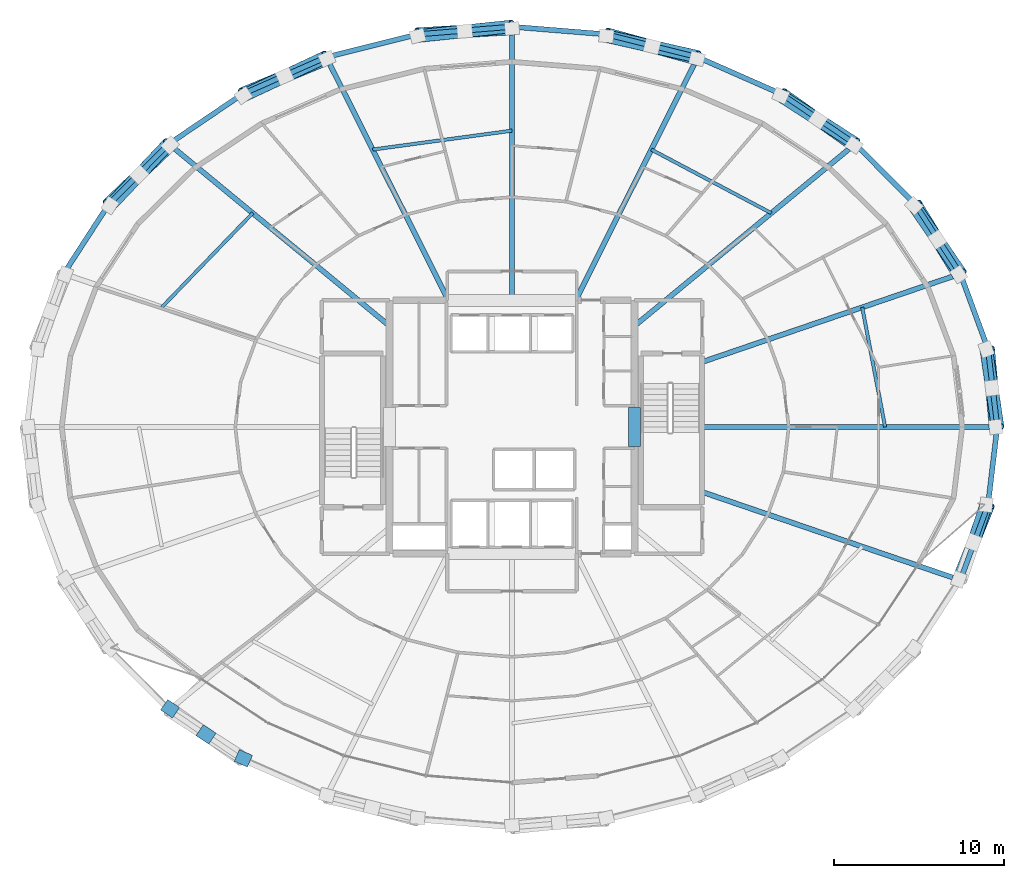
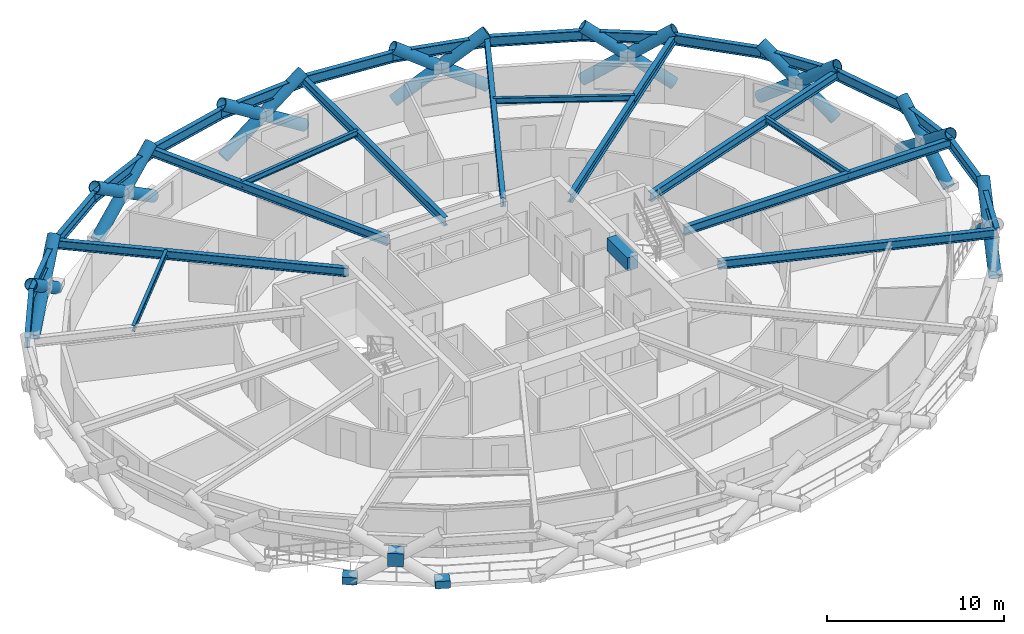
# One storey, part 11 of 19: 29 beams, 23 members, 3 plates.
"""IFC4 building model written with IfcOpenShell, lengths in metres."""

from ifc_helpers import new_model, si_unit, direction, frame, origin, origin_2d, place, context, subcontext, project, spatial, rectangle, hollow_circle, i_section, extrude, material, layer, layer_set, material_profile, profile_set, type_object, element, save


model = new_model("IFC4")

# Units and contexts
model_context = context("Model", 3, precision=1e-05, world=origin(), true_north=direction((0.0, 1.0)))
body_context = subcontext(model_context, "Body", "Model", "MODEL_VIEW")
ifc_project = project(units=[si_unit("LENGTHUNIT", "METRE"), si_unit("AREAUNIT", "SQUARE_METRE"), si_unit("VOLUMEUNIT", "CUBIC_METRE"), si_unit("PLANEANGLEUNIT", "RADIAN"), si_unit("MASSUNIT", "GRAM", prefix="KILO")], contexts=[model_context])

# Site, building, storey
site_placement = place(None, origin())
site = spatial("IfcSite", under=ifc_project, at=site_placement, CompositionType="ELEMENT")
building_placement = place(site_placement, origin())
building = spatial("IfcBuilding", under=site, at=building_placement, Name="Veldorina Hangang Commons", CompositionType="ELEMENT")
storey_placement = place(building_placement, frame((0.0, 0.0, 52.0)))
storey = spatial("IfcBuildingStorey", under=building, at=storey_placement, Name="L12", CompositionType="ELEMENT", Elevation=52.0)

# Beams
ifc_material_1 = material(Name="Concrete C70/85", Category="concrete")
ifc_material_profile_1 = material_profile(ifc_material_1, rectangle(XDim=0.699951171875, YDim=0.89990234375, at=origin_2d()), Name="RC-CB-700x900")
ifc_profile_set_1 = profile_set([ifc_material_profile_1], Name="Concrete C70/85")
beam_type_1 = type_object("IfcBeamType", Name="BM-CB900", PredefinedType="LINTEL", material=ifc_profile_set_1)
beam_1_placement = place(storey_placement, frame((39.199951171875, 22.85009765625, 2.889892578125), z_axis=(0.0, 1.0, 0.0), x_axis=(-1.0, 0.0, 0.0)))
element("IfcBeam", 1, at=beam_1_placement, inside=storey, type_object=beam_type_1, Name="L12 E core coupling lintel beam", PredefinedType="LINTEL", context=body_context, shape_type="SweptSolid", body=[
    extrude(rectangle(XDim=0.699951171875, YDim=0.89990234375, at=origin_2d()), origin(), (0.0, 0.0, 1.0), 2.2998046875),
])
ifc_material_2 = material(Name="Steel SM460-TMC", Category="steel")
ifc_material_profile_2 = material_profile(ifc_material_2, i_section(OverallWidth=0.300048828125, OverallDepth=0.587890625, WebThickness=0.011962890625, FlangeThickness=0.02001953125, FilletRadius=0.01806640625, at=origin_2d()), Name="H-588x300x12x20")
ifc_profile_set_2 = profile_set([ifc_material_profile_2], Name="Steel SM460-TMC")
beam_type_2 = type_object("IfcBeamType", Name="BM-FG588", PredefinedType="BEAM", material=ifc_profile_set_2)
beam_2_placement = place(storey_placement, frame((43.179931640625, 24.0, 3.0458984375), z_axis=(1.0, 0.0, 0.0), x_axis=(0.0, 1.0, 0.0)))
element("IfcBeam", 2, at=beam_2_placement, inside=storey, type_object=beam_type_2, Name="L12 radial floor girder 01", PredefinedType="BEAM", context=body_context, shape_type="SweptSolid", body=[
    extrude(i_section(OverallWidth=0.300048828125, OverallDepth=0.587890625, WebThickness=0.011962890625, FlangeThickness=0.02001953125, FilletRadius=0.01806640625, at=origin_2d()), origin(), (0.0, 0.0, 1.0), 17.359375),
])
beam_3_placement = place(storey_placement, frame((43.179931640625, 27.819580078125, 3.0458984375), z_axis=(0.946294358267, 0.323306336949, 0.0), x_axis=(-0.323306336949, 0.946294358267, 0.0)))
element("IfcBeam", 3, at=beam_3_placement, inside=storey, type_object=beam_type_2, Name="L12 radial floor girder 02", PredefinedType="BEAM", context=body_context, shape_type="SweptSolid", body=[
    extrude(i_section(OverallWidth=0.300048828125, OverallDepth=0.587890625, WebThickness=0.011962890625, FlangeThickness=0.02001953125, FilletRadius=0.01806640625, at=origin_2d()), origin(), (0.0, 0.0, 1.0), 16.048828125),
])
beam_4_placement = place(storey_placement, frame((39.199951171875, 29.938720703125, 3.0458984375), z_axis=(0.771448772905, 0.636291435416, 0.0), x_axis=(-0.636291435416, 0.771448772905, 0.0)))
element("IfcBeam", 4, at=beam_4_placement, inside=storey, type_object=beam_type_2, Name="L12 radial floor girder 03", PredefinedType="BEAM", context=body_context, shape_type="SweptSolid", body=[
    extrude(i_section(OverallWidth=0.300048828125, OverallDepth=0.587890625, WebThickness=0.011962890625, FlangeThickness=0.02001953125, FilletRadius=0.01806640625, at=origin_2d()), origin(), (0.0, 0.0, 1.0), 16.826171875),
])
beam_5_placement = place(storey_placement, frame((35.741455078125, 31.449951171875, 3.0458984375), z_axis=(0.448781583211, 0.893641477647, 0.0), x_axis=(-0.893641477647, 0.448781583211, 0.0)))
element("IfcBeam", 5, at=beam_5_placement, inside=storey, type_object=beam_type_2, Name="L12 radial floor girder 04", PredefinedType="BEAM", context=body_context, shape_type="SweptSolid", body=[
    extrude(i_section(OverallWidth=0.300048828125, OverallDepth=0.587890625, WebThickness=0.011962890625, FlangeThickness=0.02001953125, FilletRadius=0.01806640625, at=origin_2d()), origin(), (0.0, 0.0, 1.0), 15.999267578125),
])
beam_6_placement = place(storey_placement, frame((32.0, 31.449951171875, 3.0458984375), z_axis=(0.0, 1.0, 0.0), x_axis=(-1.0, 0.0, 0.0)))
element("IfcBeam", 6, at=beam_6_placement, inside=storey, type_object=beam_type_2, Name="L12 radial floor girder 05", PredefinedType="BEAM", context=body_context, shape_type="SweptSolid", body=[
    extrude(i_section(OverallWidth=0.300048828125, OverallDepth=0.587890625, WebThickness=0.011962890625, FlangeThickness=0.02001953125, FilletRadius=0.01806640625, at=origin_2d()), origin(), (0.0, 0.0, 1.0), 16.08935546875),
])
beam_7_placement = place(storey_placement, frame((28.258544921875, 31.449951171875, 3.0458984375), z_axis=(-0.448781583211, 0.893641477647, 0.0), x_axis=(-0.893641477647, -0.448781583211, 0.0)))
element("IfcBeam", 7, at=beam_7_placement, inside=storey, type_object=beam_type_2, Name="L12 radial floor girder 06", PredefinedType="BEAM", context=body_context, shape_type="SweptSolid", body=[
    extrude(i_section(OverallWidth=0.300048828125, OverallDepth=0.587890625, WebThickness=0.011962890625, FlangeThickness=0.02001953125, FilletRadius=0.01806640625, at=origin_2d()), origin(), (0.0, 0.0, 1.0), 15.999267578125),
])
beam_8_placement = place(storey_placement, frame((24.800048828125, 29.938720703125, 3.0458984375), z_axis=(-0.771448772905, 0.636291435416, 0.0), x_axis=(-0.636291435416, -0.771448772905, 0.0)))
element("IfcBeam", 8, at=beam_8_placement, inside=storey, type_object=beam_type_2, Name="L12 radial floor girder 07", PredefinedType="BEAM", context=body_context, shape_type="SweptSolid", body=[
    extrude(i_section(OverallWidth=0.300048828125, OverallDepth=0.587890625, WebThickness=0.011962890625, FlangeThickness=0.02001953125, FilletRadius=0.01806640625, at=origin_2d()), origin(), (0.0, 0.0, 1.0), 16.826171875),
])
beam_9_placement = place(storey_placement, frame((43.179931640625, 20.180419921875, 3.0458984375), z_axis=(0.946294358267, -0.323306336949, 0.0), x_axis=(0.323306336949, 0.946294358267, 0.0)))
element("IfcBeam", 9, at=beam_9_placement, inside=storey, type_object=beam_type_2, Name="L12 radial floor girder 16", PredefinedType="BEAM", context=body_context, shape_type="SweptSolid", body=[
    extrude(i_section(OverallWidth=0.300048828125, OverallDepth=0.587890625, WebThickness=0.011962890625, FlangeThickness=0.02001953125, FilletRadius=0.01806640625, at=origin_2d()), origin(), (0.0, 0.0, 1.0), 16.048828125),
])
ifc_material_3 = material(Name="Steel SM355-TMC", Category="steel")
ifc_material_profile_3 = material_profile(ifc_material_3, i_section(OverallWidth=0.199951171875, OverallDepth=0.39990234375, WebThickness=0.008056640625, FlangeThickness=0.012939453125, FilletRadius=0.012939453125, at=origin_2d()), Name="H-400x200x8x13")
ifc_profile_set_3 = profile_set([ifc_material_profile_3], Name="Steel SM355-TMC")
beam_type_3 = type_object("IfcBeamType", Name="BM-JST400", PredefinedType="JOIST", material=ifc_profile_set_3)
beam_10_placement = place(storey_placement, frame((53.94287109375, 24.0, 3.139892578125), z_axis=(-0.188003029942, 0.982168448247, 0.0), x_axis=(-0.982168448247, -0.188003029942, 0.0)))
element("IfcBeam", 10, at=beam_10_placement, inside=storey, type_object=beam_type_3, Name="L12 secondary floor joist 01", PredefinedType="JOIST", context=body_context, shape_type="SweptSolid", body=[
    extrude(i_section(OverallWidth=0.199951171875, OverallDepth=0.39990234375, WebThickness=0.008056640625, FlangeThickness=0.012939453125, FilletRadius=0.012939453125, at=origin_2d()), origin(), (0.0, 0.0, 1.0), 7.164306640625),
])
beam_11_placement = place(storey_placement, frame((47.247802734375, 36.576416015625, 3.139892578125), z_axis=(-0.883621988293, 0.468201005771, 0.0), x_axis=(-0.468201005771, -0.883621988293, 0.0)))
element("IfcBeam", 11, at=beam_11_placement, inside=storey, type_object=beam_type_3, Name="L12 secondary floor joist 03", PredefinedType="JOIST", context=body_context, shape_type="SweptSolid", body=[
    extrude(i_section(OverallWidth=0.199951171875, OverallDepth=0.39990234375, WebThickness=0.008056640625, FlangeThickness=0.012939453125, FilletRadius=0.012939453125, at=origin_2d()), origin(), (0.0, 0.0, 1.0), 7.98388671875),
])
beam_12_placement = place(storey_placement, frame((32.0, 41.42529296875, 3.139892578125), z_axis=(-0.990933554114, -0.134352861266, 0.0), x_axis=(0.134352861266, -0.990933554114, 0.0)))
element("IfcBeam", 12, at=beam_12_placement, inside=storey, type_object=beam_type_3, Name="L12 secondary floor joist 05", PredefinedType="JOIST", context=body_context, shape_type="SweptSolid", body=[
    extrude(i_section(OverallWidth=0.199951171875, OverallDepth=0.39990234375, WebThickness=0.008056640625, FlangeThickness=0.012939453125, FilletRadius=0.012939453125, at=origin_2d()), origin(), (0.0, 0.0, 1.0), 8.26806640625),
])
beam_13_placement = place(storey_placement, frame((16.752197265625, 36.576416015625, 3.139892578125), z_axis=(-0.694552641031, -0.719441887046, 0.0), x_axis=(0.719441887046, -0.694552641031, 0.0)))
element("IfcBeam", 13, at=beam_13_placement, inside=storey, type_object=beam_type_3, Name="L12 secondary floor joist 07", PredefinedType="JOIST", context=body_context, shape_type="SweptSolid", body=[
    extrude(i_section(OverallWidth=0.199951171875, OverallDepth=0.39990234375, WebThickness=0.008056640625, FlangeThickness=0.012939453125, FilletRadius=0.012939453125, at=origin_2d()), origin(), (0.0, 0.0, 1.0), 7.7001953125),
])
ifc_material_profile_4 = material_profile(ifc_material_2, i_section(OverallWidth=0.300048828125, OverallDepth=0.699951171875, WebThickness=0.012939453125, FlangeThickness=0.02392578125, FilletRadius=0.02197265625, at=origin_2d()), Name="H-700x300x13x24")
ifc_profile_set_4 = profile_set([ifc_material_profile_4], Name="Steel SM460-TMC")
beam_type_4 = type_object("IfcBeamType", Name="BM-RB700", PredefinedType="BEAM", material=ifc_profile_set_4)
beam_14_placement = place(storey_placement, frame((60.539306640625, 24.0, 2.989990234375), z_axis=(-0.118562364743, 0.992946607662, 0.0), x_axis=(-0.992946607662, -0.118562364743, 0.0)))
element("IfcBeam", 14, at=beam_14_placement, inside=storey, type_object=beam_type_4, Name="L12 perimeter hoop ring beam 00", PredefinedType="BEAM", context=body_context, shape_type="SweptSolid", body=[
    extrude(i_section(OverallWidth=0.300048828125, OverallDepth=0.699951171875, WebThickness=0.012939453125, FlangeThickness=0.02392578125, FilletRadius=0.02197265625, at=origin_2d()), origin(), (0.0, 0.0, 1.0), 4.625),
])
beam_15_placement = place(storey_placement, frame((59.990966796875, 28.59228515625, 2.989990234375), z_axis=(-0.345157061848, 0.938544939071, 0.0), x_axis=(-0.938544939071, -0.345157061848, 0.0)))
element("IfcBeam", 15, at=beam_15_placement, inside=storey, type_object=beam_type_4, Name="L12 perimeter hoop ring beam 01", PredefinedType="BEAM", context=body_context, shape_type="SweptSolid", body=[
    extrude(i_section(OverallWidth=0.300048828125, OverallDepth=0.699951171875, WebThickness=0.012939453125, FlangeThickness=0.02392578125, FilletRadius=0.02197265625, at=origin_2d()), origin(), (0.0, 0.0, 1.0), 4.705078125),
])
beam_16_placement = place(storey_placement, frame((58.366943359375, 33.00830078125, 2.989990234375), z_axis=(-0.543825205395, 0.839198514046, 0.0), x_axis=(-0.839198514046, -0.543825205395, 0.0)))
element("IfcBeam", 16, at=beam_16_placement, inside=storey, type_object=beam_type_4, Name="L12 perimeter hoop ring beam 02", PredefinedType="BEAM", context=body_context, shape_type="SweptSolid", body=[
    extrude(i_section(OverallWidth=0.300048828125, OverallDepth=0.699951171875, WebThickness=0.012939453125, FlangeThickness=0.02392578125, FilletRadius=0.02197265625, at=origin_2d()), origin(), (0.0, 0.0, 1.0), 4.849365234375),
])
beam_17_placement = place(storey_placement, frame((55.729736328125, 37.077880859375, 2.989990234375), z_axis=(-0.705333709409, 0.708875418089, 0.0), x_axis=(-0.708875418089, -0.705333709409, 0.0)))
element("IfcBeam", 17, at=beam_17_placement, inside=storey, type_object=beam_type_4, Name="L12 perimeter hoop ring beam 03", PredefinedType="BEAM", context=body_context, shape_type="SweptSolid", body=[
    extrude(i_section(OverallWidth=0.300048828125, OverallDepth=0.699951171875, WebThickness=0.012939453125, FlangeThickness=0.02392578125, FilletRadius=0.02197265625, at=origin_2d()), origin(), (0.0, 0.0, 1.0), 5.0322265625),
])
beam_18_placement = place(storey_placement, frame((52.180419921875, 40.64501953125, 2.989990234375), z_axis=(-0.828131507258, 0.560533858644, 0.0), x_axis=(-0.560533858644, -0.828131507258, 0.0)))
element("IfcBeam", 18, at=beam_18_placement, inside=storey, type_object=beam_type_4, Name="L12 perimeter hoop ring beam 04", PredefinedType="BEAM", context=body_context, shape_type="SweptSolid", body=[
    extrude(i_section(OverallWidth=0.300048828125, OverallDepth=0.699951171875, WebThickness=0.012939453125, FlangeThickness=0.02392578125, FilletRadius=0.02197265625, at=origin_2d()), origin(), (0.0, 0.0, 1.0), 5.22216796875),
])
beam_19_placement = place(storey_placement, frame((47.855712890625, 43.572265625, 2.989990234375), z_axis=(-0.915021043403, 0.403406110674, 0.0), x_axis=(-0.403406110674, -0.915021043403, 0.0)))
element("IfcBeam", 19, at=beam_19_placement, inside=storey, type_object=beam_type_4, Name="L12 perimeter hoop ring beam 05", PredefinedType="BEAM", context=body_context, shape_type="SweptSolid", body=[
    extrude(i_section(OverallWidth=0.300048828125, OverallDepth=0.699951171875, WebThickness=0.012939453125, FlangeThickness=0.02392578125, FilletRadius=0.02197265625, at=origin_2d()), origin(), (0.0, 0.0, 1.0), 5.392333984375),
])
beam_20_placement = place(storey_placement, frame((42.921630859375, 45.74755859375, 2.989990234375), z_axis=(-0.970095643929, 0.242722973016, 0.0), x_axis=(-0.242722973016, -0.970095643929, 0.0)))
element("IfcBeam", 20, at=beam_20_placement, inside=storey, type_object=beam_type_4, Name="L12 perimeter hoop ring beam 06", PredefinedType="BEAM", context=body_context, shape_type="SweptSolid", body=[
    extrude(i_section(OverallWidth=0.300048828125, OverallDepth=0.699951171875, WebThickness=0.012939453125, FlangeThickness=0.02392578125, FilletRadius=0.02197265625, at=origin_2d()), origin(), (0.0, 0.0, 1.0), 5.51904296875),
])
for number, where, z_axis, x_axis, name in (
    (21, (37.567626953125, 47.087158203125, 2.989990234375), (-0.996718668419, 0.080943783114, 0.0), (-0.080943783114, -0.996718668419, 0.0), "L12 perimeter hoop ring beam 07"),
    (22, (32.0, 47.539306640625, 2.989990234375), (-0.996718668419, -0.080943783114, 0.0), (0.080943783114, -0.996718668419, 0.0), "L12 perimeter hoop ring beam 08"),
):
    element("IfcBeam", number, at=place(storey_placement, frame(where, z_axis=z_axis, x_axis=x_axis)), inside=storey, type_object=beam_type_4, Name=name, PredefinedType="BEAM", context=body_context, shape_type="SweptSolid", body=[
        extrude(i_section(OverallWidth=0.300048828125, OverallDepth=0.699951171875, WebThickness=0.012939453125, FlangeThickness=0.02392578125, FilletRadius=0.02197265625, at=origin_2d()), origin(), (0.0, 0.0, 1.0), 5.5859375),
    ])
beam_21_placement = place(storey_placement, frame((26.432373046875, 47.087158203125, 2.989990234375), z_axis=(-0.970095643929, -0.242722973016, 0.0), x_axis=(0.242722973016, -0.970095643929, 0.0)))
element("IfcBeam", 23, at=beam_21_placement, inside=storey, type_object=beam_type_4, Name="L12 perimeter hoop ring beam 09", PredefinedType="BEAM", context=body_context, shape_type="SweptSolid", body=[
    extrude(i_section(OverallWidth=0.300048828125, OverallDepth=0.699951171875, WebThickness=0.012939453125, FlangeThickness=0.02392578125, FilletRadius=0.02197265625, at=origin_2d()), origin(), (0.0, 0.0, 1.0), 5.51904296875),
])
beam_22_placement = place(storey_placement, frame((21.078369140625, 45.74755859375, 2.989990234375), z_axis=(-0.915021043403, -0.403406110674, 0.0), x_axis=(0.403406110674, -0.915021043403, 0.0)))
element("IfcBeam", 24, at=beam_22_placement, inside=storey, type_object=beam_type_4, Name="L12 perimeter hoop ring beam 10", PredefinedType="BEAM", context=body_context, shape_type="SweptSolid", body=[
    extrude(i_section(OverallWidth=0.300048828125, OverallDepth=0.699951171875, WebThickness=0.012939453125, FlangeThickness=0.02392578125, FilletRadius=0.02197265625, at=origin_2d()), origin(), (0.0, 0.0, 1.0), 5.392333984375),
])
beam_23_placement = place(storey_placement, frame((16.144287109375, 43.572265625, 2.989990234375), z_axis=(-0.828131507258, -0.560533858644, 0.0), x_axis=(0.560533858644, -0.828131507258, 0.0)))
element("IfcBeam", 25, at=beam_23_placement, inside=storey, type_object=beam_type_4, Name="L12 perimeter hoop ring beam 11", PredefinedType="BEAM", context=body_context, shape_type="SweptSolid", body=[
    extrude(i_section(OverallWidth=0.300048828125, OverallDepth=0.699951171875, WebThickness=0.012939453125, FlangeThickness=0.02392578125, FilletRadius=0.02197265625, at=origin_2d()), origin(), (0.0, 0.0, 1.0), 5.22216796875),
])
beam_24_placement = place(storey_placement, frame((11.819580078125, 40.64501953125, 2.989990234375), z_axis=(-0.705333709409, -0.708875418089, 0.0), x_axis=(0.708875418089, -0.705333709409, 0.0)))
element("IfcBeam", 26, at=beam_24_placement, inside=storey, type_object=beam_type_4, Name="L12 perimeter hoop ring beam 12", PredefinedType="BEAM", context=body_context, shape_type="SweptSolid", body=[
    extrude(i_section(OverallWidth=0.300048828125, OverallDepth=0.699951171875, WebThickness=0.012939453125, FlangeThickness=0.02392578125, FilletRadius=0.02197265625, at=origin_2d()), origin(), (0.0, 0.0, 1.0), 5.0322265625),
])
beam_25_placement = place(storey_placement, frame((8.270263671875, 37.077880859375, 2.989990234375), z_axis=(-0.543825205395, -0.839198514046, 0.0), x_axis=(0.839198514046, -0.543825205395, 0.0)))
element("IfcBeam", 27, at=beam_25_placement, inside=storey, type_object=beam_type_4, Name="L12 perimeter hoop ring beam 13", PredefinedType="BEAM", context=body_context, shape_type="SweptSolid", body=[
    extrude(i_section(OverallWidth=0.300048828125, OverallDepth=0.699951171875, WebThickness=0.012939453125, FlangeThickness=0.02392578125, FilletRadius=0.02197265625, at=origin_2d()), origin(), (0.0, 0.0, 1.0), 4.849365234375),
])
beam_26_placement = place(storey_placement, frame((58.366943359375, 14.99169921875, 2.989990234375), z_axis=(0.345157061848, 0.938544939071, 0.0), x_axis=(-0.938544939071, 0.345157061848, 0.0)))
element("IfcBeam", 28, at=beam_26_placement, inside=storey, type_object=beam_type_4, Name="L12 perimeter hoop ring beam 30", PredefinedType="BEAM", context=body_context, shape_type="SweptSolid", body=[
    extrude(i_section(OverallWidth=0.300048828125, OverallDepth=0.699951171875, WebThickness=0.012939453125, FlangeThickness=0.02392578125, FilletRadius=0.02197265625, at=origin_2d()), origin(), (0.0, 0.0, 1.0), 4.705078125),
])
beam_27_placement = place(storey_placement, frame((59.990966796875, 19.40771484375, 2.989990234375), z_axis=(0.118562364743, 0.992946607662, 0.0), x_axis=(-0.992946607662, 0.118562364743, 0.0)))
element("IfcBeam", 29, at=beam_27_placement, inside=storey, type_object=beam_type_4, Name="L12 perimeter hoop ring beam 31", PredefinedType="BEAM", context=body_context, shape_type="SweptSolid", body=[
    extrude(i_section(OverallWidth=0.300048828125, OverallDepth=0.699951171875, WebThickness=0.012939453125, FlangeThickness=0.02392578125, FilletRadius=0.02197265625, at=origin_2d()), origin(), (0.0, 0.0, 1.0), 4.625),
])

# Members
ifc_material_profile_5 = material_profile(ifc_material_2, hollow_circle(Radius=0.375, WallThickness=0.035888671875, at=origin_2d()), Name="CHS-750x36")
ifc_profile_set_5 = profile_set([ifc_material_profile_5], Name="Steel SM460-TMC")
member_type = type_object("IfcMemberType", Name="DG-CHS750", PredefinedType="BRACE", material=ifc_profile_set_5)
member_1_placement = place(storey_placement, frame((60.435302734375, 24.0, 0.0), z_axis=(-0.072318634767, 0.785203539076, 0.615000339258), x_axis=(-0.995785426558, -0.091713599068, 0.0)))
element("IfcMember", 30, at=member_1_placement, inside=storey, type_object=member_type, Name="L12 continuous perimeter diagrid brace 00", PredefinedType="BRACE", context=body_context, shape_type="SweptSolid", body=[
    extrude(hollow_circle(Radius=0.375, WallThickness=0.035888671875, at=origin_2d()), origin(), (0.0, 0.0, 1.0), 5.853759765625),
])
member_2_placement = place(storey_placement, frame((59.888916015625, 28.572021484375, 0.0), z_axis=(0.11474837887, -0.780506271135, 0.614526460184), x_axis=(0.989364965256, 0.145454341717, 0.0)))
element("IfcMember", 31, at=member_2_placement, inside=storey, type_object=member_type, Name="L12 split perimeter diagrid lower brace 01", PredefinedType="BRACE", context=body_context, shape_type="SweptSolid", body=[
    extrude(hollow_circle(Radius=0.375, WallThickness=0.035888671875, at=origin_2d()), origin(), (0.0, 0.0, 1.0), 2.921142578125),
])
member_3_placement = place(storey_placement, frame((60.22412109375, 26.2919921875, 1.795166015625), z_axis=(0.114641287502, -0.780458598309, 0.614606989486), x_axis=(0.9893832156, 0.145330150651, 0.0)))
element("IfcMember", 32, at=member_3_placement, inside=storey, type_object=member_type, Name="L12 split perimeter diagrid upper brace 01", PredefinedType="BRACE", context=body_context, shape_type="SweptSolid", body=[
    extrude(hollow_circle(Radius=0.375, WallThickness=0.035888671875, at=origin_2d()), origin(), (0.0, 0.0, 1.0), 2.936767578125),
])
member_4_placement = place(storey_placement, frame((58.270751953125, 32.96826171875, 0.0), z_axis=(-0.418751436231, 0.683914763449, 0.597417635319), x_axis=(-0.852835693014, -0.522179356851, 0.0)))
element("IfcMember", 33, at=member_4_placement, inside=storey, type_object=member_type, Name="L12 continuous perimeter diagrid brace 02", PredefinedType="BRACE", context=body_context, shape_type="SweptSolid", body=[
    extrude(hollow_circle(Radius=0.375, WallThickness=0.035888671875, at=origin_2d()), origin(), (0.0, 0.0, 1.0), 6.026123046875),
])
member_5_placement = place(storey_placement, frame((55.64306640625, 37.02001953125, 0.0), z_axis=(0.454280013934, -0.662383679376, 0.595715981183), x_axis=(0.824685842174, 0.565591072877, 0.0)))
element("IfcMember", 34, at=member_5_placement, inside=storey, type_object=member_type, Name="L12 split perimeter diagrid lower brace 03", PredefinedType="BRACE", context=body_context, shape_type="SweptSolid", body=[
    extrude(hollow_circle(Radius=0.375, WallThickness=0.035888671875, at=origin_2d()), origin(), (0.0, 0.0, 1.0), 3.013916015625),
])
member_6_placement = place(storey_placement, frame((57.01220703125, 35.023681640625, 1.79541015625), z_axis=(0.453766957499, -0.662677073634, 0.595780701569), x_axis=(0.825100441357, 0.564986072104, 0.0)))
element("IfcMember", 35, at=member_6_placement, inside=storey, type_object=member_type, Name="L12 split perimeter diagrid upper brace 03", PredefinedType="BRACE", context=body_context, shape_type="SweptSolid", body=[
    extrude(hollow_circle(Radius=0.375, WallThickness=0.035888671875, at=origin_2d()), origin(), (0.0, 0.0, 1.0), 3.029052734375),
])
member_7_placement = place(storey_placement, frame((52.106689453125, 40.5712890625, 0.0), z_axis=(-0.669907488672, 0.477044810956, 0.56890439), x_axis=(-0.580061627699, -0.814572592266, 0.0)))
element("IfcMember", 36, at=member_7_placement, inside=storey, type_object=member_type, Name="L12 continuous perimeter diagrid brace 04", PredefinedType="BRACE", context=body_context, shape_type="SweptSolid", body=[
    extrude(hollow_circle(Radius=0.375, WallThickness=0.035888671875, at=origin_2d()), origin(), (0.0, 0.0, 1.0), 6.328125),
])
member_8_placement = place(storey_placement, frame((47.7978515625, 43.485595703125, 0.0), z_axis=(0.693052037569, -0.444916583976, 0.567210813124), x_axis=(0.54022749461, 0.841519015868, 0.0)))
element("IfcMember", 37, at=member_8_placement, inside=storey, type_object=member_type, Name="L12 split perimeter diagrid lower brace 05", PredefinedType="BRACE", context=body_context, shape_type="SweptSolid", body=[
    extrude(hollow_circle(Radius=0.375, WallThickness=0.035888671875, at=origin_2d()), origin(), (0.0, 0.0, 1.0), 3.166259765625),
])
member_9_placement = place(storey_placement, frame((49.9921875, 42.076904296875, 1.7958984375), z_axis=(0.692697177358, -0.445475281705, 0.56720577736), x_axis=(0.540903599833, 0.841084594847, 0.0)))
element("IfcMember", 38, at=member_9_placement, inside=storey, type_object=member_type, Name="L12 split perimeter diagrid upper brace 05", PredefinedType="BRACE", context=body_context, shape_type="SweptSolid", body=[
    extrude(hollow_circle(Radius=0.375, WallThickness=0.035888671875, at=origin_2d()), origin(), (0.0, 0.0, 1.0), 3.180908203125),
])
member_10_placement = place(storey_placement, frame((42.881591796875, 45.6513671875, 0.0), z_axis=(-0.807136659496, 0.221417018142, 0.54727042399), x_axis=(-0.264550418055, -0.964371855825, 0.0)))
element("IfcMember", 39, at=member_10_placement, inside=storey, type_object=member_type, Name="L12 continuous perimeter diagrid brace 06", PredefinedType="BRACE", context=body_context, shape_type="SweptSolid", body=[
    extrude(hollow_circle(Radius=0.375, WallThickness=0.035888671875, at=origin_2d()), origin(), (0.0, 0.0, 1.0), 6.578369140625),
])
member_11_placement = place(storey_placement, frame((37.54736328125, 46.98486328125, 0.0), z_axis=(0.816942542894, -0.184645800676, 0.546361427905), x_axis=(0.220459563723, 0.975396114798, 0.0)))
element("IfcMember", 40, at=member_11_placement, inside=storey, type_object=member_type, Name="L12 split perimeter diagrid lower brace 07", PredefinedType="BRACE", context=body_context, shape_type="SweptSolid", body=[
    extrude(hollow_circle(Radius=0.375, WallThickness=0.035888671875, at=origin_2d()), origin(), (0.0, 0.0, 1.0), 3.287109375),
])
member_12_placement = place(storey_placement, frame((40.232666015625, 46.3779296875, 1.7958984375), z_axis=(0.816822386595, -0.184999512199, 0.546421420923), x_axis=(0.220892203116, 0.975298228545, 0.0)))
element("IfcMember", 41, at=member_12_placement, inside=storey, type_object=member_type, Name="L12 split perimeter diagrid upper brace 07", PredefinedType="BRACE", context=body_context, shape_type="SweptSolid", body=[
    extrude(hollow_circle(Radius=0.375, WallThickness=0.035888671875, at=origin_2d()), origin(), (0.0, 0.0, 1.0), 3.3017578125),
])
member_13_placement = place(storey_placement, frame((32.0, 47.435302734375, 0.0), z_axis=(-0.838915275751, -0.049291740121, 0.542025354082), x_axis=(0.058655356009, -0.998278292467, 0.0)))
element("IfcMember", 42, at=member_13_placement, inside=storey, type_object=member_type, Name="L12 continuous perimeter diagrid brace 08", PredefinedType="BRACE", context=body_context, shape_type="SweptSolid", body=[
    extrude(hollow_circle(Radius=0.375, WallThickness=0.035888671875, at=origin_2d()), origin(), (0.0, 0.0, 1.0), 6.641845703125),
])
member_14_placement = place(storey_placement, frame((26.45263671875, 46.98486328125, 0.0), z_axis=(0.835704168634, 0.086696198157, 0.542293566026), x_axis=(-0.103186533053, 0.994662022697, 0.0)))
element("IfcMember", 43, at=member_14_placement, inside=storey, type_object=member_type, Name="L12 split perimeter diagrid lower brace 09", PredefinedType="BRACE", context=body_context, shape_type="SweptSolid", body=[
    extrude(hollow_circle(Radius=0.375, WallThickness=0.035888671875, at=origin_2d()), origin(), (0.0, 0.0, 1.0), 3.311767578125),
])
member_15_placement = place(storey_placement, frame((29.22021484375, 47.27197265625, 1.7958984375), z_axis=(0.835642806829, 0.086822891312, 0.542367850208), x_axis=(-0.103343222242, 0.99464575524, 0.0)))
element("IfcMember", 44, at=member_15_placement, inside=storey, type_object=member_type, Name="L12 split perimeter diagrid upper brace 09", PredefinedType="BRACE", context=body_context, shape_type="SweptSolid", body=[
    extrude(hollow_circle(Radius=0.375, WallThickness=0.035888671875, at=origin_2d()), origin(), (0.0, 0.0, 1.0), 3.326416015625),
])
member_16_placement = place(storey_placement, frame((21.118408203125, 45.6513671875, 0.0), z_axis=(-0.76870815949, -0.317804475104, 0.555056826944), x_axis=(0.38206266654, -0.924136417871, 0.0)))
element("IfcMember", 45, at=member_16_placement, inside=storey, type_object=member_type, Name="L12 continuous perimeter diagrid brace 10", PredefinedType="BRACE", context=body_context, shape_type="SweptSolid", body=[
    extrude(hollow_circle(Radius=0.375, WallThickness=0.035888671875, at=origin_2d()), origin(), (0.0, 0.0, 1.0), 6.486083984375),
])
member_17_placement = place(storey_placement, frame((16.2021484375, 43.485595703125, 0.0), z_axis=(0.752504655758, 0.352389103546, 0.556379962584), x_axis=(-0.424091021789, 0.905619569818, 0.0)))
element("IfcMember", 46, at=member_17_placement, inside=storey, type_object=member_type, Name="L12 split perimeter diagrid lower brace 11", PredefinedType="BRACE", context=body_context, shape_type="SweptSolid", body=[
    extrude(hollow_circle(Radius=0.375, WallThickness=0.035888671875, at=origin_2d()), origin(), (0.0, 0.0, 1.0), 3.227783203125),
])
member_18_placement = place(storey_placement, frame((18.631103515625, 44.623046875, 1.7958984375), z_axis=(0.752265287688, 0.352829059965, 0.556424829949), x_axis=(-0.424635851623, 0.905364232515, 0.0)))
element("IfcMember", 47, at=member_18_placement, inside=storey, type_object=member_type, Name="L12 split perimeter diagrid upper brace 11", PredefinedType="BRACE", context=body_context, shape_type="SweptSolid", body=[
    extrude(hollow_circle(Radius=0.375, WallThickness=0.035888671875, at=origin_2d()), origin(), (0.0, 0.0, 1.0), 3.242431640625),
])
member_19_placement = place(storey_placement, frame((11.893310546875, 40.5712890625, 0.0), z_axis=(-0.58798574844, -0.56231657447, 0.581440306229), x_axis=(0.691155519573, -0.722706059033, 0.0)))
element("IfcMember", 48, at=member_19_placement, inside=storey, type_object=member_type, Name="L12 continuous perimeter diagrid brace 12", PredefinedType="BRACE", context=body_context, shape_type="SweptSolid", body=[
    extrude(hollow_circle(Radius=0.375, WallThickness=0.035888671875, at=origin_2d()), origin(), (0.0, 0.0, 1.0), 6.191650390625),
])
member_20_placement = place(storey_placement, frame((8.35693359375, 37.02001953125, 0.0), z_axis=(0.558853394942, 0.58946463525, 0.583278944203), x_axis=(-0.725698648676, 0.688012697056, 0.0)))
element("IfcMember", 49, at=member_20_placement, inside=storey, type_object=member_type, Name="L12 split perimeter diagrid lower brace 13", PredefinedType="BRACE", context=body_context, shape_type="SweptSolid", body=[
    extrude(hollow_circle(Radius=0.375, WallThickness=0.035888671875, at=origin_2d()), origin(), (0.0, 0.0, 1.0), 3.07861328125),
])
member_21_placement = place(storey_placement, frame((10.077392578125, 38.834716796875, 1.795654296875), z_axis=(0.55827453538, 0.590000060291, 0.583291926914), x_axis=(-0.726366155224, 0.687307943025, 0.0)))
element("IfcMember", 50, at=member_21_placement, inside=storey, type_object=member_type, Name="L12 split perimeter diagrid upper brace 13", PredefinedType="BRACE", context=body_context, shape_type="SweptSolid", body=[
    extrude(hollow_circle(Radius=0.375, WallThickness=0.035888671875, at=origin_2d()), origin(), (0.0, 0.0, 1.0), 3.093505859375),
])
member_22_placement = place(storey_placement, frame((58.270751953125, 15.03173828125, 0.0), z_axis=(0.293876277716, 0.737863503234, 0.607613515312), x_axis=(-0.929026677226, 0.370012747081, 0.0)))
element("IfcMember", 51, at=member_22_placement, inside=storey, type_object=member_type, Name="L12 continuous perimeter diagrid brace 30", PredefinedType="BRACE", context=body_context, shape_type="SweptSolid", body=[
    extrude(hollow_circle(Radius=0.375, WallThickness=0.035888671875, at=origin_2d()), origin(), (0.0, 0.0, 1.0), 5.925048828125),
])
member_23_placement = place(storey_placement, frame((59.888916015625, 19.427978515625, 0.0), z_axis=(-0.254318553164, -0.751448407248, 0.60880815103), x_axis=(0.947222794816, -0.320576008117, 0.0)))
element("IfcMember", 52, at=member_23_placement, inside=storey, type_object=member_type, Name="L12 split perimeter diagrid lower brace 31", PredefinedType="BRACE", context=body_context, shape_type="SweptSolid", body=[
    extrude(hollow_circle(Radius=0.375, WallThickness=0.035888671875, at=origin_2d()), origin(), (0.0, 0.0, 1.0), 2.948974609375),
])

# Plates
ifc_layer = layer(ifc_material_2, 0.035888671875)
ifc_layer_set = layer_set([ifc_layer], Name="Steel SM460-TMC")
plate_type = type_object("IfcPlateType", Name="PL-STAR-36", PredefinedType="USERDEFINED", material=ifc_layer_set)
plate_1_placement = place(storey_placement, frame((11.893310546875, 7.4287109375, -0.090087890625), z_axis=(0.0, 0.0, 1.0), x_axis=(0.828314659262, -0.560263174992, 0.0)))
element("IfcPlate", 53, at=plate_1_placement, inside=storey, type_object=plate_type, Name="L12 diagrid star-node gusset plate 20", ObjectType="GUSSET PLATE", PredefinedType="USERDEFINED", context=body_context, shape_type="SweptSolid", body=[
    extrude(rectangle(XDim=0.85009765625, YDim=0.75, at=origin_2d()), origin(), (0.0, 0.0, 1.0), 0.5),
])
plate_2_placement = place(storey_placement, frame((14.0078125, 5.923095703125, 1.345947265625), z_axis=(0.0, 0.0, 1.0), x_axis=(0.828314659262, -0.560263174992, 0.0)))
element("IfcPlate", 54, at=plate_2_placement, inside=storey, type_object=plate_type, Name="L12 diagrid X-crossing star-node gusset plate 20", ObjectType="GUSSET PLATE", PredefinedType="USERDEFINED", context=body_context, shape_type="SweptSolid", body=[
    extrude(rectangle(XDim=0.89990234375, YDim=0.780029296875, at=origin_2d()), origin(), (0.0, 0.0, 1.0), 0.89990234375),
])
plate_3_placement = place(storey_placement, frame((16.2021484375, 4.514404296875, -0.090087890625), z_axis=(0.0, 0.0, 1.0), x_axis=(0.915142696685, -0.40313005929, 0.0)))
element("IfcPlate", 55, at=plate_3_placement, inside=storey, type_object=plate_type, Name="L12 diagrid star-node gusset plate 21", ObjectType="GUSSET PLATE", PredefinedType="USERDEFINED", context=body_context, shape_type="SweptSolid", body=[
    extrude(rectangle(XDim=0.85009765625, YDim=0.75, at=origin_2d()), origin(), (0.0, 0.0, 1.0), 0.5),
])

save(model, "model.ifc")
